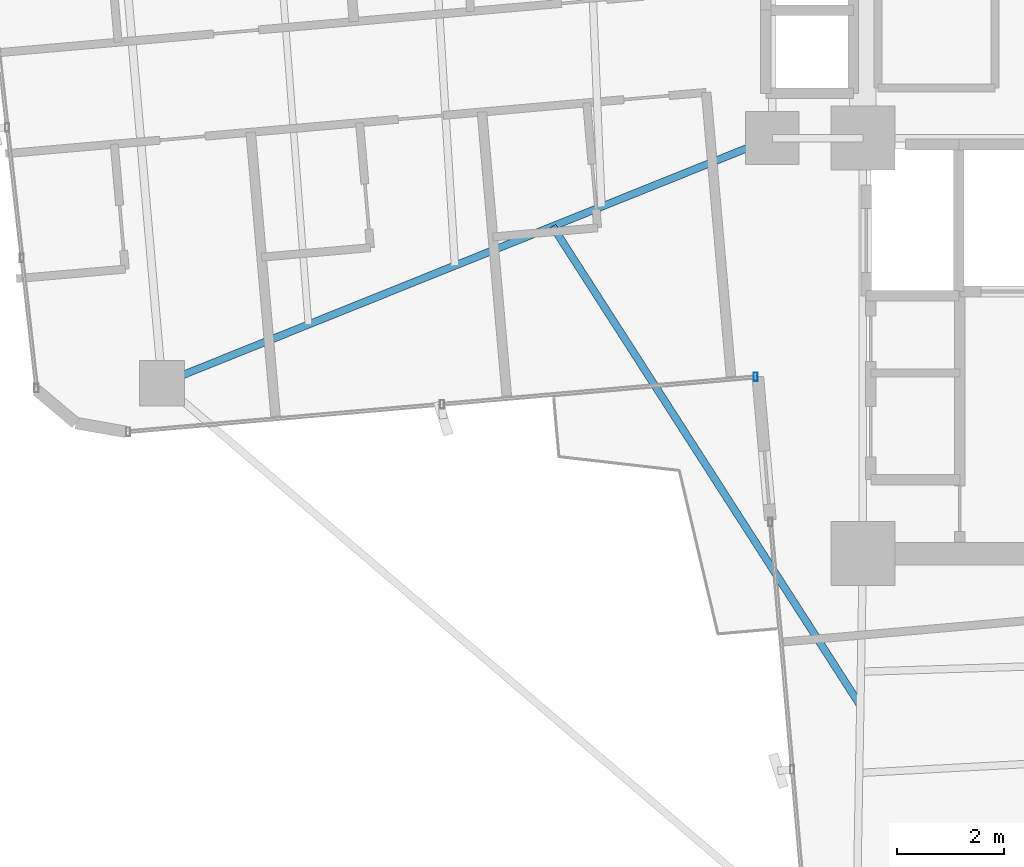
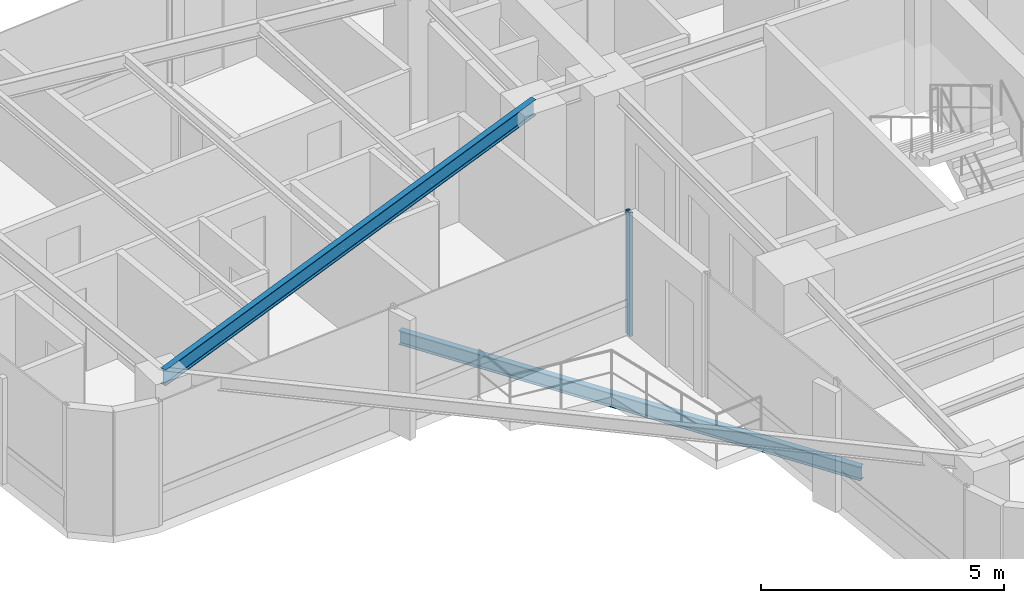
# One storey, part 5 of 24: 2 beams, 1 member, 1 element without a shape of its own.
"""IFC4 building model written with IfcOpenShell, lengths in metres."""

import ifcopenshell
import ifcopenshell.guid

model = None  # the IFC model being written
_history = None  # IfcOwnerHistory: only IFC2X3 demands one
_inside = {}  # id of a spatial element -> (the spatial element, [elements in it])
_under = {}  # id of a project, library or spatial element -> (it, [spatial elements below it])
_declared = {}  # id of a project -> (the project, [libraries it declares])
_typed = {}  # id of a type object -> (the type object, [elements of that type])
_made_of = {}  # id of a material, layer set ... -> (it, [elements and type objects made of it])


def new_model(schema):
    """Start an empty IFC model of exactly this schema.

    Asked for "IFC4X3", IfcOpenShell would pick the latest addendum, in which some entities
    have other attributes; the version numbers below select the first issue.
    IFC2X3 requires an IfcOwnerHistory on every rooted entity: one is made here for all.
    """
    global model, _history
    if schema == "IFC4X3":
        model = ifcopenshell.file(schema_version=(4, 3, 0, 0))
    else:
        model = ifcopenshell.file(schema=schema)
    _inside.clear()
    _under.clear()
    _declared.clear()
    _typed.clear()
    _made_of.clear()
    _history = None
    if model.schema == "IFC2X3":
        org = make("IfcOrganization", Name="unknown")
        user = make(
            "IfcPersonAndOrganization",
            ThePerson=make("IfcPerson", FamilyName="unknown"),
            TheOrganization=org,
        )
        app = make(
            "IfcApplication",
            ApplicationDeveloper=org,
            Version="unknown",
            ApplicationFullName="unknown",
            ApplicationIdentifier="unknown",
        )
        _history = make(
            "IfcOwnerHistory",
            OwningUser=user,
            OwningApplication=app,
            ChangeAction="ADDED",
            CreationDate=0,
        )
    return model


def make(cls, **values):
    """One entity of the class cls with the attributes given. An attribute that is None is left unset."""
    return model.create_entity(
        cls, **{name: value for name, value in values.items() if value is not None}
    )


def rooted(cls, **values):
    """An entity with a GlobalId (a new one), such as an element, a storey or a relation."""
    return make(cls, GlobalId=ifcopenshell.guid.new(), OwnerHistory=_history, **values)


def si_unit(unit_type, name, prefix=None):
    """IfcSIUnit, for example si_unit("LENGTHUNIT", "METRE", prefix="MILLI")."""
    return make("IfcSIUnit", UnitType=unit_type, Prefix=prefix, Name=name)


def assignment(units):
    """IfcUnitAssignment: the units of a project."""
    return None if units is None else make("IfcUnitAssignment", Units=units)


def point(xyz):
    """IfcCartesianPoint."""
    return None if xyz is None else make("IfcCartesianPoint", Coordinates=xyz)


def direction(xyz):
    """IfcDirection."""
    return None if xyz is None else make("IfcDirection", DirectionRatios=xyz)


def frame(location, z_axis=None, x_axis=None):
    """IfcAxis2Placement3D, a coordinate frame: its origin and axes. An axis left out is left unset."""
    return make(
        "IfcAxis2Placement3D",
        Location=point(location),
        Axis=direction(z_axis),
        RefDirection=direction(x_axis),
    )


def frame_2d(location, x_axis=None):
    """IfcAxis2Placement2D, a coordinate frame in the plane: its origin and x axis."""
    return make(
        "IfcAxis2Placement2D", Location=point(location), RefDirection=direction(x_axis)
    )


def origin():
    """The frame at (0, 0, 0) with its axes left unset."""
    return frame((0.0, 0.0, 0.0))


def origin_2d():
    """The frame at (0, 0) in the plane with its x axis left unset."""
    return frame_2d((0.0, 0.0))


def place(relative_to, where):
    """IfcLocalPlacement: puts the frame where relative to a parent placement (None: the world)."""
    return make(
        "IfcLocalPlacement", PlacementRelTo=relative_to, RelativePlacement=where
    )


def context(
    kind, dimensions, precision=None, world=None, true_north=None, identifier=None
):
    """IfcGeometricRepresentationContext, for example the 3D "Model" context."""
    return make(
        "IfcGeometricRepresentationContext",
        ContextIdentifier=identifier,
        ContextType=kind,
        CoordinateSpaceDimension=dimensions,
        Precision=precision,
        WorldCoordinateSystem=world,
        TrueNorth=true_north,
    )


def subcontext(parent, identifier, kind, view, scale=None):
    """IfcGeometricRepresentationSubContext, for example "Body" below "Model"."""
    return make(
        "IfcGeometricRepresentationSubContext",
        ContextIdentifier=identifier,
        ContextType=kind,
        ParentContext=parent,
        TargetScale=scale,
        TargetView=view,
    )


def project(units=None, contexts=None):
    """IfcProject with its units and contexts."""
    return rooted(
        "IfcProject",
        Name="project",
        RepresentationContexts=contexts,
        UnitsInContext=assignment(units),
    )


def spatial(cls, under=None, at=None, **own):
    """A site, building, storey or space (cls), placed at a placement, below another one or the project."""
    s = rooted(cls, ObjectPlacement=at, **own)
    if under is not None:
        _under.setdefault(under.id(), (under, []))[1].append(s)
    return s


def profile(cls, at=None, kind="AREA", **sizes):
    """A parametric profile (cls). Its sizes go by their IFC names, for example OverallWidth=200.0."""
    return make(cls, ProfileType=kind, Position=at, **sizes)


def hollow_rectangle(**sizes):
    """IfcRectangleHollowProfileDef."""
    return profile("IfcRectangleHollowProfileDef", **sizes)


def i_section(**sizes):
    """IfcIShapeProfileDef."""
    return profile("IfcIShapeProfileDef", **sizes)


def extrude(swept, where, along, depth):
    """IfcExtrudedAreaSolid: the profile swept, set in the frame where, extruded along a direction by depth."""
    return make(
        "IfcExtrudedAreaSolid",
        SweptArea=swept,
        Position=where,
        ExtrudedDirection=direction(along),
        Depth=depth,
    )


def shape(context_of_items, identifier, shape_type, items):
    """IfcShapeRepresentation: the items that make up one representation, for example the "Body"."""
    return make(
        "IfcShapeRepresentation",
        ContextOfItems=context_of_items,
        RepresentationIdentifier=identifier,
        RepresentationType=shape_type,
        Items=items,
    )


def source(mapping_origin, context_of_items, identifier, shape_type, items):
    """IfcRepresentationMap: a shape defined once, which mapped items show again and again."""
    return make(
        "IfcRepresentationMap",
        MappingOrigin=mapping_origin,
        MappedRepresentation=shape(context_of_items, identifier, shape_type, items),
    )


def transform(
    local_origin,
    x_axis=None,
    y_axis=None,
    z_axis=None,
    scale=None,
    scale2=None,
    scale3=None,
    uniform=True,
):
    """IfcCartesianTransformationOperator3D, or its non-uniform kind. x_axis, y_axis, z_axis: its Axis1, 2, 3."""
    if uniform:
        return make(
            "IfcCartesianTransformationOperator3D",
            Axis1=direction(x_axis),
            Axis2=direction(y_axis),
            LocalOrigin=point(local_origin),
            Scale=scale,
            Axis3=direction(z_axis),
        )
    return make(
        "IfcCartesianTransformationOperator3DnonUniform",
        Axis1=direction(x_axis),
        Axis2=direction(y_axis),
        LocalOrigin=point(local_origin),
        Scale=scale,
        Axis3=direction(z_axis),
        Scale2=scale2,
        Scale3=scale3,
    )


def mapped(mapping_source, mapping_target):
    """IfcMappedItem: shows the shape of a source again, moved by a transform."""
    return make(
        "IfcMappedItem", MappingSource=mapping_source, MappingTarget=mapping_target
    )


def material(Name=None, Category=None):
    """IfcMaterial."""
    return make("IfcMaterial", Name=Name, Category=Category)


def material_profile(
    of_material, cross_section, Name=None, Category=None, Priority=None
):
    """IfcMaterialProfile: a cross section and its material."""
    return make(
        "IfcMaterialProfile",
        Name=Name,
        Material=of_material,
        Profile=cross_section,
        Priority=Priority,
        Category=Category,
    )


def profile_set(profiles, Name=None, composite=None):
    """IfcMaterialProfileSet."""
    return make(
        "IfcMaterialProfileSet",
        Name=Name,
        MaterialProfiles=profiles,
        CompositeProfile=composite,
    )


def made_of(thing, what):
    """Note that an element or type object is made of a material, layer set ...; save() writes the relation."""
    if what is not None:
        _made_of.setdefault(what.id(), (what, []))[1].append(thing)
    return thing


def type_object(cls, material=None, **own):
    """A type object (cls), such as IfcWallType, which elements share."""
    return made_of(rooted(cls, **own), material)


def element(
    cls,
    number,
    at=None,
    inside=None,
    cuts=None,
    type_object=None,
    material=None,
    context=None,
    identifier="Body",
    shape_type=None,
    held_by="IfcProductDefinitionShape",
    body=None,
    shapes=None,
    **own,
):
    """One element of the class cls, such as IfcWall. Its Tag is "e" and its number.

    at: its placement. inside: the storey or other place that contains it. cuts: it is an
    opening in that element (IfcRelVoidsElement). A single representation is given by context,
    identifier, shape_type and body (its items); several are given by shapes. held_by: the class
    of the entity that holds the representations. save() writes the other relations.
    """
    e = rooted(cls, Tag="e%d" % number, ObjectPlacement=at, **own)
    if body is not None:
        shapes = [shape(context, identifier, shape_type, body)]
    if shapes is not None:
        e.Representation = make(held_by, Representations=shapes)
    if inside is not None:
        _inside.setdefault(inside.id(), (inside, []))[1].append(e)
    if cuts is not None:
        rooted(
            "IfcRelVoidsElement", RelatingBuildingElement=cuts, RelatedOpeningElement=e
        )
    if type_object is not None:
        _typed.setdefault(type_object.id(), (type_object, []))[1].append(e)
    return made_of(e, material)


def aggregate(whole, parts):
    """IfcRelAggregates: a whole, such as a stair, and the parts it consists of."""
    return rooted("IfcRelAggregates", RelatingObject=whole, RelatedObjects=parts)


def save(model, path):
    """Write the relations noted so far, then the file.

    IfcRelAggregates (storeys below a building ...), IfcRelContainedInSpatialStructure (elements
    in a storey), IfcRelDefinesByType, IfcRelAssociatesMaterial and IfcRelDeclares: one each for
    every whole, place, type object, material and project.
    """
    for whole, parts in _under.values():
        aggregate(whole, parts)
    for where, things in _inside.values():
        rooted(
            "IfcRelContainedInSpatialStructure",
            RelatedElements=things,
            RelatingStructure=where,
        )
    for kind, things in _typed.values():
        rooted("IfcRelDefinesByType", RelatedObjects=things, RelatingType=kind)
    for what, things in _made_of.values():
        rooted("IfcRelAssociatesMaterial", RelatedObjects=things, RelatingMaterial=what)
    for by, libraries in _declared.values():
        rooted("IfcRelDeclares", RelatingContext=by, RelatedDefinitions=libraries)
    model.write(path)


model = new_model("IFC4")

# Units and contexts
model_context = context("Model", 3, precision=1e-05, world=origin(), true_north=direction((0.0, 1.0)))
body_context = subcontext(model_context, "Body", "Model", "MODEL_VIEW")
ifc_project = project(units=[si_unit("LENGTHUNIT", "METRE"), si_unit("AREAUNIT", "SQUARE_METRE"), si_unit("VOLUMEUNIT", "CUBIC_METRE"), si_unit("PLANEANGLEUNIT", "RADIAN"), si_unit("MASSUNIT", "GRAM", prefix="KILO")], contexts=[model_context])

# Site, building, storey
site_placement = place(None, origin())
site = spatial("IfcSite", under=ifc_project, at=site_placement, CompositionType="ELEMENT")
building_placement = place(site_placement, origin())
building = spatial("IfcBuilding", under=site, at=building_placement, Name="Sahyath Konkavel Grand Hotel", CompositionType="ELEMENT")
storey_placement = place(building_placement, frame((0.0, 0.0, 178.550048828125)))
storey = spatial("IfcBuildingStorey", under=building, at=storey_placement, Name="L49", CompositionType="ELEMENT", Elevation=178.550048828125)

# Beam
ifc_material_1 = material(Name="Steel E350", Category="steel")
ifc_material_profile_1 = material_profile(ifc_material_1, i_section(OverallWidth=0.139892578125, OverallDepth=0.39990234375, WebThickness=0.0087890625, FlangeThickness=0.01611328125, FilletRadius=0.013916015625, at=origin_2d()), Name="ISMB 400")
ifc_profile_set_1 = profile_set([ifc_material_profile_1], Name="Steel E350")
beam_type_1 = type_object("IfcBeamType", Name="BM-ISMB400", PredefinedType="BEAM", material=ifc_profile_set_1)
shared_shape_1 = source(origin(), body_context, "Body", "SweptSolid", [
    extrude(i_section(OverallWidth=0.139892578125, OverallDepth=0.39990234375, WebThickness=0.0087890625, FlangeThickness=0.01611328125, FilletRadius=0.013916015625, at=origin_2d()), origin(), (0.0, 0.0, 1.0), 12.344970703125),
])
beam_1_placement = place(storey_placement, frame((-5.5, -2.39990234375, 2.909912109375), z_axis=(-0.927837014101, -0.372985891507, 0.0), x_axis=(0.372985891507, -0.927837014101, 0.0)))
element("IfcBeam", 1, at=beam_1_placement, inside=storey, type_object=beam_type_1, Name="L49 Cruciform Radial Girder WB", PredefinedType="BEAM", context=body_context, shape_type="MappedRepresentation", body=[
    mapped(shared_shape_1, transform((0.0, 0.0, 0.0), scale=1.0)),
])

# Curtain wall, member
ifc_material_2 = material(Name="Anodised Bronze Aluminium & Low-E Glazing", Category="aluminium")
curtain_wall_type = type_object("IfcCurtainWallType", Name="CW-ZONE3", PredefinedType="NOTDEFINED", material=ifc_material_2)
curtain_wall_placement = place(storey_placement, origin())
curtain_wall = element("IfcCurtainWall", 2, at=curtain_wall_placement, inside=storey, type_object=curtain_wall_type, Name="L49 Unitised Curtain Wall F23", PredefinedType="NOTDEFINED")
ifc_material_3 = material(Name="Anodised Bronze Aluminium", Category="aluminium")
ifc_material_profile_2 = material_profile(ifc_material_3, hollow_rectangle(XDim=0.080078125, YDim=0.159912109375, WallThickness=0.006103515625, at=origin_2d()), Name="RHS 160x80x6")
ifc_profile_set_2 = profile_set([ifc_material_profile_2], Name="Anodised Bronze Aluminium")
member_type = type_object("IfcMemberType", Name="CW-MUL-160", PredefinedType="MULLION", material=ifc_profile_set_2)
shared_shape_2 = source(origin(), body_context, "Body", "SweptSolid", [
    extrude(hollow_rectangle(XDim=0.080078125, YDim=0.159912109375, WallThickness=0.006103515625, at=origin_2d()), origin(), (0.0, 0.0, 1.0), 3.10986328125),
])
member_placement = place(storey_placement, frame((-5.812255859375, -6.8828125, 0.0), z_axis=(0.0, 0.0, 1.0), x_axis=(1.0, 0.0, 0.0)))
member = element("IfcMember", 3, at=member_placement, type_object=member_type, Name="L49 Curtain Wall Mullion F23-2", PredefinedType="MULLION", context=body_context, shape_type="MappedRepresentation", body=[
    mapped(shared_shape_2, transform((0.0, 0.0, 0.0), scale=1.0)),
])
aggregate(curtain_wall, [member])

# Beam
ifc_material_profile_3 = material_profile(ifc_material_1, i_section(OverallWidth=0.139892578125, OverallDepth=0.35009765625, WebThickness=0.008056640625, FlangeThickness=0.01416015625, FilletRadius=0.013916015625, at=origin_2d()), Name="ISMB 350")
ifc_profile_set_3 = profile_set([ifc_material_profile_3], Name="Steel E350")
beam_type_2 = type_object("IfcBeamType", Name="BM-BALC-CANT", PredefinedType="BEAM", material=ifc_profile_set_3)
shared_shape_3 = source(origin(), body_context, "Body", "SweptSolid", [
    extrude(i_section(OverallWidth=0.139892578125, OverallDepth=0.35009765625, WebThickness=0.008056640625, FlangeThickness=0.01416015625, FilletRadius=0.013916015625, at=origin_2d()), origin(), (0.0, 0.0, 1.0), 10.685302734375),
])
beam_2_placement = place(storey_placement, frame((-9.62353515625, -4.0576171875, -0.4150390625), z_axis=(0.540404181048, -0.841405562797, 0.0), x_axis=(0.841405562797, 0.540404181048, 0.0)))
element("IfcBeam", 4, at=beam_2_placement, inside=storey, type_object=beam_type_2, Name="L49 Balcony Cantilever Support Beam SW", PredefinedType="BEAM", context=body_context, shape_type="MappedRepresentation", body=[
    mapped(shared_shape_3, transform((0.0, 0.0, 0.0), scale=1.0)),
])

save(model, "model.ifc")
